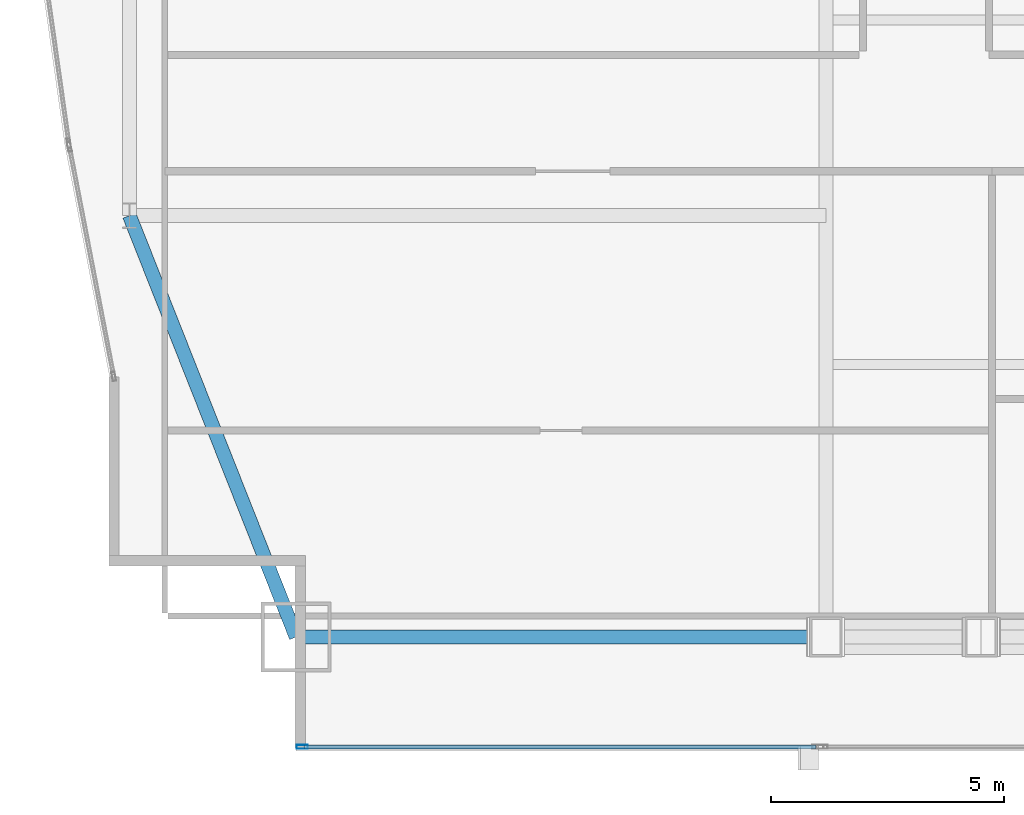
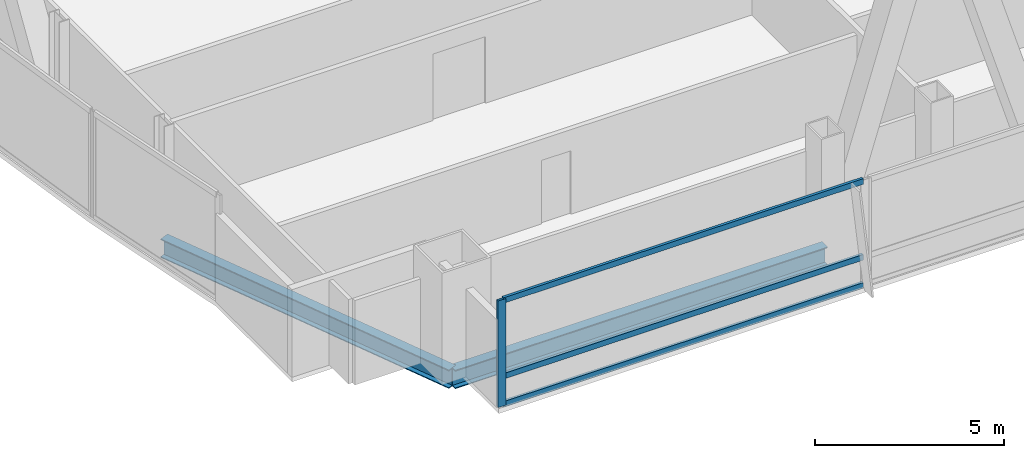
# One storey, part 5 of 33: 4 members, 2 beams, 1 element without a shape of its own.
"""IFC4 building model written with IfcOpenShell, lengths in metres."""

from ifc_helpers import new_model, si_unit, direction, frame, origin, origin_2d, place, context, subcontext, project, spatial, hollow_rectangle, i_section, extrude, material, material_profile, profile_set, type_object, element, aggregate, save


model = new_model("IFC4")

# Units and contexts
model_context = context("Model", 3, precision=1e-05, world=origin(), true_north=direction((0.0, 1.0)))
body_context = subcontext(model_context, "Body", "Model", "MODEL_VIEW")
ifc_project = project(units=[si_unit("LENGTHUNIT", "METRE"), si_unit("AREAUNIT", "SQUARE_METRE"), si_unit("VOLUMEUNIT", "CUBIC_METRE"), si_unit("PLANEANGLEUNIT", "RADIAN"), si_unit("MASSUNIT", "GRAM", prefix="KILO")], contexts=[model_context])

# Site, building, storey
site_placement = place(None, origin())
site = spatial("IfcSite", under=ifc_project, at=site_placement, CompositionType="ELEMENT")
building_placement = place(site_placement, origin())
building = spatial("IfcBuilding", under=site, at=building_placement, Name="Khoronbel Lancet Exchange", CompositionType="ELEMENT")
storey_placement = place(building_placement, frame((0.0, 0.0, 118.199951171875)))
storey = spatial("IfcBuildingStorey", under=building, at=storey_placement, Name="L28", CompositionType="ELEMENT", Elevation=118.199951171875)

# Beams
ifc_material_1 = material(Name="Steel S355", Category="steel")
ifc_material_profile_1 = material_profile(ifc_material_1, i_section(OverallWidth=0.300048828125, OverallDepth=0.60009765625, WebThickness=0.015380859375, FlangeThickness=0.030029296875, at=origin_2d()), Name="HEB 600")
ifc_profile_set_1 = profile_set([ifc_material_profile_1], Name="Steel S355")
beam_type = type_object("IfcBeamType", Name="BM-BSP2", PredefinedType="SPANDREL", material=ifc_profile_set_1)
beam_1_placement = place(storey_placement, frame((6.85009765625, 10.14990234375, -0.4599609375), z_axis=(1.0, 0.0, 0.0), x_axis=(0.0, 1.0, 0.0)))
element("IfcBeam", 1, at=beam_1_placement, inside=storey, type_object=beam_type, Name="Level L28 perimeter spandrel beam SP01", PredefinedType="SPANDREL", context=body_context, shape_type="SweptSolid", body=[
    extrude(i_section(OverallWidth=0.300048828125, OverallDepth=0.60009765625, WebThickness=0.015380859375, FlangeThickness=0.030029296875, at=origin_2d()), origin(), (0.0, 0.0, 1.0), 11.375),
])
beam_2_placement = place(storey_placement, frame((3.27001953125, 19.199951171875, -0.4599609375), z_axis=(0.367850095026, -0.92988510451, 0.0), x_axis=(0.92988510451, 0.367850095026, 0.0)))
element("IfcBeam", 2, at=beam_2_placement, inside=storey, type_object=beam_type, Name="Level L28 perimeter spandrel beam SP21", PredefinedType="SPANDREL", context=body_context, shape_type="SweptSolid", body=[
    extrude(i_section(OverallWidth=0.300048828125, OverallDepth=0.60009765625, WebThickness=0.015380859375, FlangeThickness=0.030029296875, at=origin_2d()), origin(), (0.0, 0.0, 1.0), 9.732421875),
])

# Curtain wall, members
ifc_material_2 = material(Name="Low-E Solar Control Insulating Glass", Category="glass")
curtain_wall_type = type_object("IfcCurtainWallType", Name="CW-2", PredefinedType="NOTDEFINED", material=ifc_material_2)
curtain_wall_placement = place(storey_placement, origin())
curtain_wall = element("IfcCurtainWall", 3, at=curtain_wall_placement, inside=storey, type_object=curtain_wall_type, Name="Unitised curtain wall CW-L28-SWV", PredefinedType="NOTDEFINED")
ifc_material_3 = material(Name="Bronze-Anodised Aluminium 6063-T6", Category="aluminium")
ifc_material_profile_2 = material_profile(ifc_material_3, hollow_rectangle(XDim=0.0849609375, YDim=0.239990234375, WallThickness=0.006103515625, at=origin_2d()), Name="ALU MULLION 85x240")
ifc_profile_set_2 = profile_set([ifc_material_profile_2], Name="Bronze-Anodised Aluminium 6063-T6")
member_type_1 = type_object("IfcMemberType", Name="MEM-CWM1", PredefinedType="MULLION", material=ifc_profile_set_2)
member_1_placement = place(storey_placement, frame((6.982421875, 7.7900390625, 0.0), z_axis=(0.0, 0.0, 1.0), x_axis=(0.0, 1.0, 0.0)))
member_1 = element("IfcMember", 4, at=member_1_placement, type_object=member_type_1, Name="CW2 mullion 1", PredefinedType="MULLION", context=body_context, shape_type="SweptSolid", body=[
    extrude(hollow_rectangle(XDim=0.0849609375, YDim=0.239990234375, WallThickness=0.006103515625, at=origin_2d()), origin(), (0.0, 0.0, 1.0), 3.43994140625),
])
ifc_material_profile_3 = material_profile(ifc_material_3, hollow_rectangle(XDim=0.0849609375, YDim=0.179931640625, WallThickness=0.0048828125, at=origin_2d()), Name="ALU TRANSOM 85x180")
ifc_profile_set_3 = profile_set([ifc_material_profile_3], Name="Bronze-Anodised Aluminium 6063-T6")
member_type_2 = type_object("IfcMemberType", Name="MEM-CWT1", PredefinedType="USERDEFINED", material=ifc_profile_set_3)
member_2_placement = place(storey_placement, frame((7.02490234375, 7.7900390625, 0.04248046875), z_axis=(1.0, 0.0, 0.0), x_axis=(0.0, 1.0, 0.0)))
member_2 = element("IfcMember", 5, at=member_2_placement, type_object=member_type_2, Name="CW2 transom 1.1", ObjectType="TRANSOM", PredefinedType="USERDEFINED", context=body_context, shape_type="SweptSolid", body=[
    extrude(hollow_rectangle(XDim=0.0849609375, YDim=0.179931640625, WallThickness=0.0048828125, at=origin_2d()), origin(), (0.0, 0.0, 1.0), 10.989990234375),
])
member_3_placement = place(storey_placement, frame((7.02490234375, 7.7900390625, 0.949951171875), z_axis=(1.0, 0.0, 0.0), x_axis=(0.0, 1.0, 0.0)))
member_3 = element("IfcMember", 6, at=member_3_placement, type_object=member_type_2, Name="CW2 transom 1.2", ObjectType="TRANSOM", PredefinedType="USERDEFINED", context=body_context, shape_type="SweptSolid", body=[
    extrude(hollow_rectangle(XDim=0.0849609375, YDim=0.179931640625, WallThickness=0.0048828125, at=origin_2d()), origin(), (0.0, 0.0, 1.0), 10.989990234375),
])
member_4_placement = place(storey_placement, frame((7.02490234375, 7.7900390625, 3.3974609375), z_axis=(1.0, 0.0, 0.0), x_axis=(0.0, 1.0, 0.0)))
member_4 = element("IfcMember", 7, at=member_4_placement, type_object=member_type_2, Name="CW2 transom 1.3", ObjectType="TRANSOM", PredefinedType="USERDEFINED", context=body_context, shape_type="SweptSolid", body=[
    extrude(hollow_rectangle(XDim=0.0849609375, YDim=0.179931640625, WallThickness=0.0048828125, at=origin_2d()), origin(), (0.0, 0.0, 1.0), 10.989990234375),
])
aggregate(curtain_wall, [member_1, member_2, member_3, member_4])

save(model, "model.ifc")
